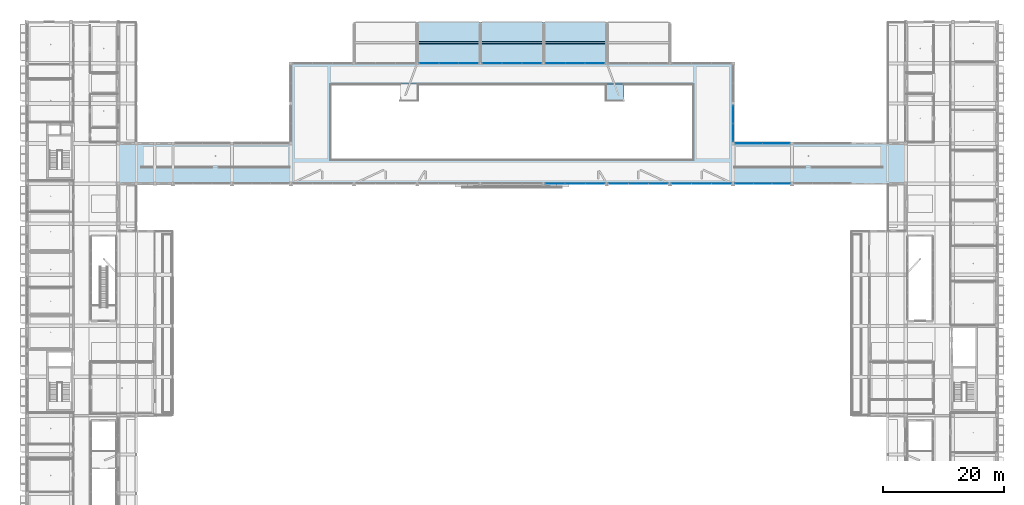
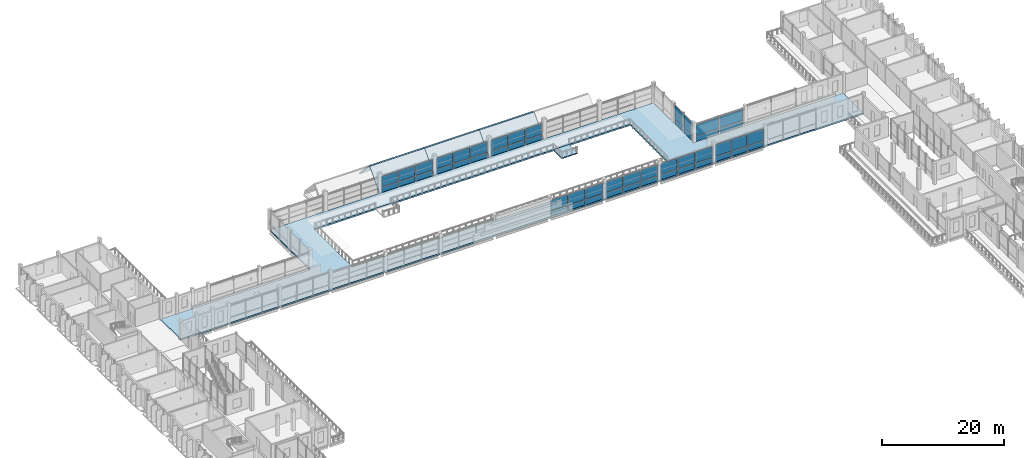
# One storey, part 33 of 85: 50 plates, 8 slabs, 10 elements without a shape of their own.
"""IFC4 building model written with IfcOpenShell, lengths in metres."""

from ifc_helpers import new_model, si_unit, derived_unit, direction, frame, origin, origin_2d, place, context, subcontext, project, spatial, polyline, rectangle, outline, extrude, material, layer, layer_set, type_object, element, aggregate, save


model = new_model("IFC4")

# Units and contexts
model_context = context("Model", 3, precision=1e-05, world=origin(), true_north=direction((0.0, 1.0)))
body_context = subcontext(model_context, "Body", "Model", "MODEL_VIEW")
ifc_project = project(units=[si_unit("LENGTHUNIT", "METRE"), si_unit("AREAUNIT", "SQUARE_METRE"), si_unit("VOLUMEUNIT", "CUBIC_METRE"), si_unit("PLANEANGLEUNIT", "RADIAN"), si_unit("MASSUNIT", "GRAM", prefix="KILO"), derived_unit("THERMALTRANSMITTANCEUNIT", [(si_unit("POWERUNIT", "WATT"), 1), (si_unit("LENGTHUNIT", "METRE"), -2), (si_unit("THERMODYNAMICTEMPERATUREUNIT", "KELVIN"), -1)])], contexts=[model_context])

# Site, building, storey
site_placement = place(None, origin())
site = spatial("IfcSite", under=ifc_project, at=site_placement, CompositionType="ELEMENT")
building_placement = place(site_placement, origin())
building = spatial("IfcBuilding", under=site, at=building_placement, Name="Braskholm Square Health Centre", CompositionType="ELEMENT")
storey_placement = place(building_placement, frame((0.0, 0.0, 9.300048828125)))
storey = spatial("IfcBuildingStorey", under=building, at=storey_placement, Name="L03", CompositionType="ELEMENT", Elevation=9.300048828125)

# Curtain wall, plates
ifc_material_1 = material(Name="Low-E triple insulating glass (VLT 0.64)", Category="glass")
curtain_wall_type_1 = type_object("IfcCurtainWallType", Name="UnitisedCurtainWall6200x3650", PredefinedType="NOTDEFINED", material=ifc_material_1)
curtain_wall_1_placement = place(storey_placement, origin())
curtain_wall_1 = element("IfcCurtainWall", 1, at=curtain_wall_1_placement, inside=storey, type_object=curtain_wall_type_1, Name="Hall Clerestory L03 unitised curtain wall CW-L03-0203", PredefinedType="NOTDEFINED")
ifc_material_2 = material(Name="Architectural bronze anodised aluminium", Category="aluminium")
plate_type_1 = type_object("IfcPlateType", Name="CurtainPanelSpandrel2750x1020", PredefinedType="CURTAIN_PANEL", material=ifc_material_2)
plate_1_placement = place(storey_placement, frame((122.17138671875, 87.199951171875, 0.050048828125), z_axis=(0.0, 0.0, 1.0), x_axis=(1.0, 0.0, 0.0)))
plate_1 = element("IfcPlate", 2, at=plate_1_placement, type_object=plate_type_1, Name="CW-L03-0203 spandrel panel 1", PredefinedType="CURTAIN_PANEL", context=body_context, shape_type="SweptSolid", body=[
    extrude(rectangle(XDim=2.893798828125, YDim=0.035888671875, at=origin_2d()), origin(), (0.0, 0.0, 1.0), 1.02001953125),
])
plate_2_placement = place(storey_placement, frame((125.25, 87.199951171875, 0.050048828125), z_axis=(0.0, 0.0, 1.0), x_axis=(1.0, 0.0, 0.0)))
plate_2 = element("IfcPlate", 3, at=plate_2_placement, type_object=plate_type_1, Name="CW-L03-0203 spandrel panel 2", PredefinedType="CURTAIN_PANEL", context=body_context, shape_type="SweptSolid", body=[
    extrude(rectangle(XDim=2.893798828125, YDim=0.035888671875, at=origin_2d()), origin(), (0.0, 0.0, 1.0), 1.02001953125),
])
plate_3_placement = place(storey_placement, frame((128.32861328125, 87.199951171875, 0.050048828125), z_axis=(0.0, 0.0, 1.0), x_axis=(1.0, 0.0, 0.0)))
plate_3 = element("IfcPlate", 4, at=plate_3_placement, type_object=plate_type_1, Name="CW-L03-0203 spandrel panel 3", PredefinedType="CURTAIN_PANEL", context=body_context, shape_type="SweptSolid", body=[
    extrude(rectangle(XDim=2.893798828125, YDim=0.035888671875, at=origin_2d()), origin(), (0.0, 0.0, 1.0), 1.02001953125),
])

curtain_wall_type_2 = type_object("IfcCurtainWallType", Name="UnitisedCurtainWall6200x3800", PredefinedType="NOTDEFINED", material=ifc_material_1)
curtain_wall_2_placement = place(storey_placement, origin())
curtain_wall_2 = element("IfcCurtainWall", 5, at=curtain_wall_2_placement, inside=storey, type_object=curtain_wall_type_2, Name="Hall Cheek L03 unitised curtain wall CW-L03-0227", PredefinedType="NOTDEFINED")
plate_4_placement = place(storey_placement, frame((120.39990234375, 95.617919921875, 0.050048828125), z_axis=(0.0, 0.0, 1.0), x_axis=(0.0, 1.0, 0.0)))
plate_4 = element("IfcPlate", 6, at=plate_4_placement, type_object=plate_type_1, Name="CW-L03-0227 spandrel panel 1", PredefinedType="CURTAIN_PANEL", context=body_context, shape_type="SweptSolid", body=[
    extrude(rectangle(XDim=2.820068359375, YDim=0.035888671875, at=origin_2d()), origin(), (0.0, 0.0, 1.0), 1.02001953125),
])
plate_5_placement = place(storey_placement, frame((120.39990234375, 98.58203125, 0.050048828125), z_axis=(0.0, 0.0, 1.0), x_axis=(0.0, 1.0, 0.0)))
plate_5 = element("IfcPlate", 7, at=plate_5_placement, type_object=plate_type_1, Name="CW-L03-0227 spandrel panel 2", PredefinedType="CURTAIN_PANEL", context=body_context, shape_type="SweptSolid", body=[
    extrude(rectangle(XDim=2.820068359375, YDim=0.035888671875, at=origin_2d()), origin(), (0.0, 0.0, 1.0), 1.02001953125),
])

curtain_wall_3_placement = place(storey_placement, origin())
curtain_wall_3 = element("IfcCurtainWall", 8, at=curtain_wall_3_placement, inside=storey, type_object=curtain_wall_type_1, Name="Hall Clerestory L03 unitised curtain wall CW-L03-0194", PredefinedType="NOTDEFINED")
plate_type_2 = type_object("IfcPlateType", Name="CurtainPanelSpandrel3150x1020", PredefinedType="CURTAIN_PANEL", material=ifc_material_2)
plate_6_placement = place(storey_placement, frame((91.087890625, 87.199951171875, 0.050048828125), z_axis=(0.0, 0.0, 1.0), x_axis=(1.0, 0.0, 0.0)))
plate_6 = element("IfcPlate", 9, at=plate_6_placement, type_object=plate_type_2, Name="CW-L03-0194 spandrel panel 1", PredefinedType="CURTAIN_PANEL", context=body_context, shape_type="SweptSolid", body=[
    extrude(rectangle(XDim=3.11328125, YDim=0.035888671875, at=origin_2d()), origin(), (0.0, 0.0, 1.0), 1.02001953125),
])
plate_7_placement = place(storey_placement, frame((94.39990234375, 87.199951171875, 0.050048828125), z_axis=(0.0, 0.0, 1.0), x_axis=(1.0, 0.0, 0.0)))
plate_7 = element("IfcPlate", 10, at=plate_7_placement, type_object=plate_type_2, Name="CW-L03-0194 spandrel panel 2", PredefinedType="CURTAIN_PANEL", context=body_context, shape_type="SweptSolid", body=[
    extrude(rectangle(XDim=3.11328125, YDim=0.035888671875, at=origin_2d()), origin(), (0.0, 0.0, 1.0), 1.02001953125),
])
plate_8_placement = place(storey_placement, frame((97.7119140625, 87.199951171875, 0.050048828125), z_axis=(0.0, 0.0, 1.0), x_axis=(1.0, 0.0, 0.0)))
plate_8 = element("IfcPlate", 11, at=plate_8_placement, type_object=plate_type_2, Name="CW-L03-0194 spandrel panel 3", PredefinedType="CURTAIN_PANEL", context=body_context, shape_type="SweptSolid", body=[
    extrude(rectangle(XDim=3.11328125, YDim=0.035888671875, at=origin_2d()), origin(), (0.0, 0.0, 1.0), 1.02001953125),
])

curtain_wall_4_placement = place(storey_placement, origin())
curtain_wall_4 = element("IfcCurtainWall", 12, at=curtain_wall_4_placement, inside=storey, type_object=curtain_wall_type_1, Name="Hall Clerestory L03 unitised curtain wall CW-L03-0197", PredefinedType="NOTDEFINED")
plate_9_placement = place(storey_placement, frame((101.488037109375, 87.199951171875, 0.050048828125), z_axis=(0.0, 0.0, 1.0), x_axis=(1.0, 0.0, 0.0)))
plate_9 = element("IfcPlate", 13, at=plate_9_placement, type_object=plate_type_2, Name="CW-L03-0197 spandrel panel 1", PredefinedType="CURTAIN_PANEL", context=body_context, shape_type="SweptSolid", body=[
    extrude(rectangle(XDim=3.11328125, YDim=0.035888671875, at=origin_2d()), origin(), (0.0, 0.0, 1.0), 1.02001953125),
])
plate_10_placement = place(storey_placement, frame((104.800048828125, 87.199951171875, 0.050048828125), z_axis=(0.0, 0.0, 1.0), x_axis=(1.0, 0.0, 0.0)))
plate_10 = element("IfcPlate", 14, at=plate_10_placement, type_object=plate_type_2, Name="CW-L03-0197 spandrel panel 2", PredefinedType="CURTAIN_PANEL", context=body_context, shape_type="SweptSolid", body=[
    extrude(rectangle(XDim=3.11328125, YDim=0.035888671875, at=origin_2d()), origin(), (0.0, 0.0, 1.0), 1.02001953125),
])
plate_11_placement = place(storey_placement, frame((108.112060546875, 87.199951171875, 0.050048828125), z_axis=(0.0, 0.0, 1.0), x_axis=(1.0, 0.0, 0.0)))
plate_11 = element("IfcPlate", 15, at=plate_11_placement, type_object=plate_type_2, Name="CW-L03-0197 spandrel panel 3", PredefinedType="CURTAIN_PANEL", context=body_context, shape_type="SweptSolid", body=[
    extrude(rectangle(XDim=3.11328125, YDim=0.035888671875, at=origin_2d()), origin(), (0.0, 0.0, 1.0), 1.02001953125),
])

curtain_wall_5_placement = place(storey_placement, origin())
curtain_wall_5 = element("IfcCurtainWall", 16, at=curtain_wall_5_placement, inside=storey, type_object=curtain_wall_type_1, Name="Hall Clerestory L03 unitised curtain wall CW-L03-0200", PredefinedType="NOTDEFINED")
plate_12_placement = place(storey_placement, frame((111.887939453125, 87.199951171875, 0.050048828125), z_axis=(0.0, 0.0, 1.0), x_axis=(1.0, 0.0, 0.0)))
plate_12 = element("IfcPlate", 17, at=plate_12_placement, type_object=plate_type_2, Name="CW-L03-0200 spandrel panel 1", PredefinedType="CURTAIN_PANEL", context=body_context, shape_type="SweptSolid", body=[
    extrude(rectangle(XDim=3.11328125, YDim=0.035888671875, at=origin_2d()), origin(), (0.0, 0.0, 1.0), 1.02001953125),
])
plate_13_placement = place(storey_placement, frame((115.199951171875, 87.199951171875, 0.050048828125), z_axis=(0.0, 0.0, 1.0), x_axis=(1.0, 0.0, 0.0)))
plate_13 = element("IfcPlate", 18, at=plate_13_placement, type_object=plate_type_2, Name="CW-L03-0200 spandrel panel 2", PredefinedType="CURTAIN_PANEL", context=body_context, shape_type="SweptSolid", body=[
    extrude(rectangle(XDim=3.11328125, YDim=0.035888671875, at=origin_2d()), origin(), (0.0, 0.0, 1.0), 1.02001953125),
])
plate_14_placement = place(storey_placement, frame((118.511962890625, 87.199951171875, 0.050048828125), z_axis=(0.0, 0.0, 1.0), x_axis=(1.0, 0.0, 0.0)))
plate_14 = element("IfcPlate", 19, at=plate_14_placement, type_object=plate_type_2, Name="CW-L03-0200 spandrel panel 3", PredefinedType="CURTAIN_PANEL", context=body_context, shape_type="SweptSolid", body=[
    extrude(rectangle(XDim=3.11328125, YDim=0.035888671875, at=origin_2d()), origin(), (0.0, 0.0, 1.0), 1.02001953125),
])

curtain_wall_6_placement = place(storey_placement, origin())
curtain_wall_6 = element("IfcCurtainWall", 20, at=curtain_wall_6_placement, inside=storey, type_object=curtain_wall_type_1, Name="Hall North Clerestory unitised curtain wall CW-L03-0231", PredefinedType="NOTDEFINED")
plate_15_placement = place(storey_placement, frame((76.86669921875, 107.0, 0.050048828125), z_axis=(0.0, 0.0, 1.0), x_axis=(-1.0, 0.0, 0.0)))
plate_15 = element("IfcPlate", 21, at=plate_15_placement, type_object=plate_type_2, Name="CW-L03-0231 spandrel panel 1", PredefinedType="CURTAIN_PANEL", context=body_context, shape_type="SweptSolid", body=[
    extrude(rectangle(XDim=3.07080078125, YDim=0.035888671875, at=origin_2d()), origin(), (0.0, 0.0, 1.0), 1.02001953125),
])
plate_16_placement = place(storey_placement, frame((73.60009765625, 107.0, 0.050048828125), z_axis=(0.0, 0.0, 1.0), x_axis=(-1.0, 0.0, 0.0)))
plate_16 = element("IfcPlate", 22, at=plate_16_placement, type_object=plate_type_2, Name="CW-L03-0231 spandrel panel 2", PredefinedType="CURTAIN_PANEL", context=body_context, shape_type="SweptSolid", body=[
    extrude(rectangle(XDim=3.07080078125, YDim=0.035888671875, at=origin_2d()), origin(), (0.0, 0.0, 1.0), 1.02001953125),
])
plate_17_placement = place(storey_placement, frame((70.333251953125, 107.0, 0.050048828125), z_axis=(0.0, 0.0, 1.0), x_axis=(-1.0, 0.0, 0.0)))
plate_17 = element("IfcPlate", 23, at=plate_17_placement, type_object=plate_type_2, Name="CW-L03-0231 spandrel panel 3", PredefinedType="CURTAIN_PANEL", context=body_context, shape_type="SweptSolid", body=[
    extrude(rectangle(XDim=3.07080078125, YDim=0.035888671875, at=origin_2d()), origin(), (0.0, 0.0, 1.0), 1.02001953125),
])

curtain_wall_7_placement = place(storey_placement, origin())
curtain_wall_7 = element("IfcCurtainWall", 24, at=curtain_wall_7_placement, inside=storey, type_object=curtain_wall_type_1, Name="Hall North Clerestory unitised curtain wall CW-L03-0232", PredefinedType="NOTDEFINED")
plate_18_placement = place(storey_placement, frame((87.2666015625, 107.0, 0.050048828125), z_axis=(0.0, 0.0, 1.0), x_axis=(-1.0, 0.0, 0.0)))
plate_18 = element("IfcPlate", 25, at=plate_18_placement, type_object=plate_type_2, Name="CW-L03-0232 spandrel panel 1", PredefinedType="CURTAIN_PANEL", context=body_context, shape_type="SweptSolid", body=[
    extrude(rectangle(XDim=3.07080078125, YDim=0.035888671875, at=origin_2d()), origin(), (0.0, 0.0, 1.0), 1.02001953125),
])
plate_19_placement = place(storey_placement, frame((84.0, 107.0, 0.050048828125), z_axis=(0.0, 0.0, 1.0), x_axis=(-1.0, 0.0, 0.0)))
plate_19 = element("IfcPlate", 26, at=plate_19_placement, type_object=plate_type_2, Name="CW-L03-0232 spandrel panel 2", PredefinedType="CURTAIN_PANEL", context=body_context, shape_type="SweptSolid", body=[
    extrude(rectangle(XDim=3.07080078125, YDim=0.035888671875, at=origin_2d()), origin(), (0.0, 0.0, 1.0), 1.02001953125),
])
plate_20_placement = place(storey_placement, frame((80.7333984375, 107.0, 0.050048828125), z_axis=(0.0, 0.0, 1.0), x_axis=(-1.0, 0.0, 0.0)))
plate_20 = element("IfcPlate", 27, at=plate_20_placement, type_object=plate_type_2, Name="CW-L03-0232 spandrel panel 3", PredefinedType="CURTAIN_PANEL", context=body_context, shape_type="SweptSolid", body=[
    extrude(rectangle(XDim=3.07080078125, YDim=0.035888671875, at=origin_2d()), origin(), (0.0, 0.0, 1.0), 1.02001953125),
])

curtain_wall_8_placement = place(storey_placement, origin())
curtain_wall_8 = element("IfcCurtainWall", 28, at=curtain_wall_8_placement, inside=storey, type_object=curtain_wall_type_1, Name="Hall North Clerestory unitised curtain wall CW-L03-0233", PredefinedType="NOTDEFINED")
plate_21_placement = place(storey_placement, frame((97.666748046875, 107.0, 0.050048828125), z_axis=(0.0, 0.0, 1.0), x_axis=(-1.0, 0.0, 0.0)))
plate_21 = element("IfcPlate", 29, at=plate_21_placement, type_object=plate_type_2, Name="CW-L03-0233 spandrel panel 1", PredefinedType="CURTAIN_PANEL", context=body_context, shape_type="SweptSolid", body=[
    extrude(rectangle(XDim=3.07080078125, YDim=0.035888671875, at=origin_2d()), origin(), (0.0, 0.0, 1.0), 1.02001953125),
])
plate_22_placement = place(storey_placement, frame((94.39990234375, 107.0, 0.050048828125), z_axis=(0.0, 0.0, 1.0), x_axis=(-1.0, 0.0, 0.0)))
plate_22 = element("IfcPlate", 30, at=plate_22_placement, type_object=plate_type_2, Name="CW-L03-0233 spandrel panel 2", PredefinedType="CURTAIN_PANEL", context=body_context, shape_type="SweptSolid", body=[
    extrude(rectangle(XDim=3.07080078125, YDim=0.035888671875, at=origin_2d()), origin(), (0.0, 0.0, 1.0), 1.02001953125),
])
plate_23_placement = place(storey_placement, frame((91.13330078125, 107.0, 0.050048828125), z_axis=(0.0, 0.0, 1.0), x_axis=(-1.0, 0.0, 0.0)))
plate_23 = element("IfcPlate", 31, at=plate_23_placement, type_object=plate_type_2, Name="CW-L03-0233 spandrel panel 3", PredefinedType="CURTAIN_PANEL", context=body_context, shape_type="SweptSolid", body=[
    extrude(rectangle(XDim=3.07080078125, YDim=0.035888671875, at=origin_2d()), origin(), (0.0, 0.0, 1.0), 1.02001953125),
])

curtain_wall_9_placement = place(storey_placement, origin())
curtain_wall_9 = element("IfcCurtainWall", 32, at=curtain_wall_9_placement, inside=storey, type_object=curtain_wall_type_1, Name="Portal North L03 unitised curtain wall CW-L03-0206", PredefinedType="NOTDEFINED")
plate_type_3 = type_object("IfcPlateType", Name="CurtainPanelSpandrel4350x1020", PredefinedType="CURTAIN_PANEL", material=ifc_material_2)
plate_24_placement = place(storey_placement, frame((127.521484375, 93.800048828125, 0.050048828125), z_axis=(0.0, 0.0, 1.0), x_axis=(-1.0, 0.0, 0.0)))
plate_24 = element("IfcPlate", 33, at=plate_24_placement, type_object=plate_type_3, Name="CW-L03-0206 spandrel panel 1", PredefinedType="CURTAIN_PANEL", context=body_context, shape_type="SweptSolid", body=[
    extrude(rectangle(XDim=4.322021484375, YDim=0.035888671875, at=origin_2d()), origin(), (0.0, 0.0, 1.0), 1.02001953125),
])
plate_25_placement = place(storey_placement, frame((122.978515625, 93.800048828125, 0.050048828125), z_axis=(0.0, 0.0, 1.0), x_axis=(-1.0, 0.0, 0.0)))
plate_25 = element("IfcPlate", 34, at=plate_25_placement, type_object=plate_type_3, Name="CW-L03-0206 spandrel panel 2", PredefinedType="CURTAIN_PANEL", context=body_context, shape_type="SweptSolid", body=[
    extrude(rectangle(XDim=4.322021484375, YDim=0.035888671875, at=origin_2d()), origin(), (0.0, 0.0, 1.0), 1.02001953125),
])

# Plate
plate_type_4 = type_object("IfcPlateType", Name="CurtainPanelVision2750x2120", PredefinedType="CURTAIN_PANEL", material=ifc_material_1)
plate_26_placement = place(storey_placement, frame((122.17138671875, 87.199951171875, 1.169921875), z_axis=(0.0, 0.0, 1.0), x_axis=(1.0, 0.0, 0.0)))
plate_26 = element("IfcPlate", 35, at=plate_26_placement, type_object=plate_type_4, Name="CW-L03-0203 vision glass panel 1", PredefinedType="CURTAIN_PANEL", context=body_context, shape_type="SweptSolid", body=[
    extrude(rectangle(XDim=2.893798828125, YDim=0.035888671875, at=origin_2d()), origin(), (0.0, 0.0, 1.0), 2.27001953125),
])

plate_27_placement = place(storey_placement, frame((125.25, 87.199951171875, 1.169921875), z_axis=(0.0, 0.0, 1.0), x_axis=(1.0, 0.0, 0.0)))
plate_27 = element("IfcPlate", 36, at=plate_27_placement, type_object=plate_type_4, Name="CW-L03-0203 vision glass panel 2", PredefinedType="CURTAIN_PANEL", context=body_context, shape_type="SweptSolid", body=[
    extrude(rectangle(XDim=2.893798828125, YDim=0.035888671875, at=origin_2d()), origin(), (0.0, 0.0, 1.0), 2.27001953125),
])

plate_28_placement = place(storey_placement, frame((128.32861328125, 87.199951171875, 1.169921875), z_axis=(0.0, 0.0, 1.0), x_axis=(1.0, 0.0, 0.0)))
plate_28 = element("IfcPlate", 37, at=plate_28_placement, type_object=plate_type_4, Name="CW-L03-0203 vision glass panel 3", PredefinedType="CURTAIN_PANEL", context=body_context, shape_type="SweptSolid", body=[
    extrude(rectangle(XDim=2.893798828125, YDim=0.035888671875, at=origin_2d()), origin(), (0.0, 0.0, 1.0), 2.27001953125),
])

aggregate(curtain_wall_1, [plate_1, plate_26, plate_2, plate_27, plate_3, plate_28])

plate_type_5 = type_object("IfcPlateType", Name="CurtainPanelVision2750x2520", PredefinedType="CURTAIN_PANEL", material=ifc_material_1)
plate_29_placement = place(storey_placement, frame((120.39990234375, 95.617919921875, 1.169921875), z_axis=(0.0, 0.0, 1.0), x_axis=(0.0, 1.0, 0.0)))
plate_29 = element("IfcPlate", 38, at=plate_29_placement, type_object=plate_type_5, Name="CW-L03-0227 vision glass panel 1", PredefinedType="CURTAIN_PANEL", context=body_context, shape_type="SweptSolid", body=[
    extrude(rectangle(XDim=2.820068359375, YDim=0.035888671875, at=origin_2d()), origin(), (0.0, 0.0, 1.0), 2.6201171875),
])

plate_30_placement = place(storey_placement, frame((120.39990234375, 98.58203125, 1.169921875), z_axis=(0.0, 0.0, 1.0), x_axis=(0.0, 1.0, 0.0)))
plate_30 = element("IfcPlate", 39, at=plate_30_placement, type_object=plate_type_5, Name="CW-L03-0227 vision glass panel 2", PredefinedType="CURTAIN_PANEL", context=body_context, shape_type="SweptSolid", body=[
    extrude(rectangle(XDim=2.820068359375, YDim=0.035888671875, at=origin_2d()), origin(), (0.0, 0.0, 1.0), 2.6201171875),
])

aggregate(curtain_wall_2, [plate_4, plate_29, plate_5, plate_30])

plate_type_6 = type_object("IfcPlateType", Name="CurtainPanelVision3150x2120", PredefinedType="CURTAIN_PANEL", material=ifc_material_1)
plate_31_placement = place(storey_placement, frame((91.087890625, 87.199951171875, 1.169921875), z_axis=(0.0, 0.0, 1.0), x_axis=(1.0, 0.0, 0.0)))
plate_31 = element("IfcPlate", 40, at=plate_31_placement, type_object=plate_type_6, Name="CW-L03-0194 vision glass panel 1", PredefinedType="CURTAIN_PANEL", context=body_context, shape_type="SweptSolid", body=[
    extrude(rectangle(XDim=3.11328125, YDim=0.035888671875, at=origin_2d()), origin(), (0.0, 0.0, 1.0), 2.1259765625),
])

plate_32_placement = place(storey_placement, frame((94.39990234375, 87.199951171875, 1.169921875), z_axis=(0.0, 0.0, 1.0), x_axis=(1.0, 0.0, 0.0)))
plate_32 = element("IfcPlate", 41, at=plate_32_placement, type_object=plate_type_6, Name="CW-L03-0194 vision glass panel 2", PredefinedType="CURTAIN_PANEL", context=body_context, shape_type="SweptSolid", body=[
    extrude(rectangle(XDim=3.11328125, YDim=0.035888671875, at=origin_2d()), origin(), (0.0, 0.0, 1.0), 2.1259765625),
])

plate_33_placement = place(storey_placement, frame((97.7119140625, 87.199951171875, 1.169921875), z_axis=(0.0, 0.0, 1.0), x_axis=(1.0, 0.0, 0.0)))
plate_33 = element("IfcPlate", 42, at=plate_33_placement, type_object=plate_type_6, Name="CW-L03-0194 vision glass panel 3", PredefinedType="CURTAIN_PANEL", context=body_context, shape_type="SweptSolid", body=[
    extrude(rectangle(XDim=3.11328125, YDim=0.035888671875, at=origin_2d()), origin(), (0.0, 0.0, 1.0), 2.1259765625),
])

aggregate(curtain_wall_3, [plate_6, plate_31, plate_7, plate_32, plate_8, plate_33])

plate_34_placement = place(storey_placement, frame((101.488037109375, 87.199951171875, 1.169921875), z_axis=(0.0, 0.0, 1.0), x_axis=(1.0, 0.0, 0.0)))
plate_34 = element("IfcPlate", 43, at=plate_34_placement, type_object=plate_type_6, Name="CW-L03-0197 vision glass panel 1", PredefinedType="CURTAIN_PANEL", context=body_context, shape_type="SweptSolid", body=[
    extrude(rectangle(XDim=3.11328125, YDim=0.035888671875, at=origin_2d()), origin(), (0.0, 0.0, 1.0), 2.1259765625),
])

plate_35_placement = place(storey_placement, frame((104.800048828125, 87.199951171875, 1.169921875), z_axis=(0.0, 0.0, 1.0), x_axis=(1.0, 0.0, 0.0)))
plate_35 = element("IfcPlate", 44, at=plate_35_placement, type_object=plate_type_6, Name="CW-L03-0197 vision glass panel 2", PredefinedType="CURTAIN_PANEL", context=body_context, shape_type="SweptSolid", body=[
    extrude(rectangle(XDim=3.11328125, YDim=0.035888671875, at=origin_2d()), origin(), (0.0, 0.0, 1.0), 2.1259765625),
])

plate_36_placement = place(storey_placement, frame((108.112060546875, 87.199951171875, 1.169921875), z_axis=(0.0, 0.0, 1.0), x_axis=(1.0, 0.0, 0.0)))
plate_36 = element("IfcPlate", 45, at=plate_36_placement, type_object=plate_type_6, Name="CW-L03-0197 vision glass panel 3", PredefinedType="CURTAIN_PANEL", context=body_context, shape_type="SweptSolid", body=[
    extrude(rectangle(XDim=3.11328125, YDim=0.035888671875, at=origin_2d()), origin(), (0.0, 0.0, 1.0), 2.1259765625),
])

aggregate(curtain_wall_4, [plate_9, plate_34, plate_10, plate_35, plate_11, plate_36])

plate_37_placement = place(storey_placement, frame((111.887939453125, 87.199951171875, 1.169921875), z_axis=(0.0, 0.0, 1.0), x_axis=(1.0, 0.0, 0.0)))
plate_37 = element("IfcPlate", 46, at=plate_37_placement, type_object=plate_type_6, Name="CW-L03-0200 vision glass panel 1", PredefinedType="CURTAIN_PANEL", context=body_context, shape_type="SweptSolid", body=[
    extrude(rectangle(XDim=3.11328125, YDim=0.035888671875, at=origin_2d()), origin(), (0.0, 0.0, 1.0), 2.1259765625),
])

plate_38_placement = place(storey_placement, frame((115.199951171875, 87.199951171875, 1.169921875), z_axis=(0.0, 0.0, 1.0), x_axis=(1.0, 0.0, 0.0)))
plate_38 = element("IfcPlate", 47, at=plate_38_placement, type_object=plate_type_6, Name="CW-L03-0200 vision glass panel 2", PredefinedType="CURTAIN_PANEL", context=body_context, shape_type="SweptSolid", body=[
    extrude(rectangle(XDim=3.11328125, YDim=0.035888671875, at=origin_2d()), origin(), (0.0, 0.0, 1.0), 2.1259765625),
])

plate_39_placement = place(storey_placement, frame((118.511962890625, 87.199951171875, 1.169921875), z_axis=(0.0, 0.0, 1.0), x_axis=(1.0, 0.0, 0.0)))
plate_39 = element("IfcPlate", 48, at=plate_39_placement, type_object=plate_type_6, Name="CW-L03-0200 vision glass panel 3", PredefinedType="CURTAIN_PANEL", context=body_context, shape_type="SweptSolid", body=[
    extrude(rectangle(XDim=3.11328125, YDim=0.035888671875, at=origin_2d()), origin(), (0.0, 0.0, 1.0), 2.1259765625),
])

aggregate(curtain_wall_5, [plate_12, plate_37, plate_13, plate_38, plate_14, plate_39])

plate_40_placement = place(storey_placement, frame((76.86669921875, 107.0, 1.169921875), z_axis=(0.0, 0.0, 1.0), x_axis=(-1.0, 0.0, 0.0)))
plate_40 = element("IfcPlate", 49, at=plate_40_placement, type_object=plate_type_6, Name="CW-L03-0231 vision glass panel 1", PredefinedType="CURTAIN_PANEL", context=body_context, shape_type="SweptSolid", body=[
    extrude(rectangle(XDim=3.07080078125, YDim=0.035888671875, at=origin_2d()), origin(), (0.0, 0.0, 1.0), 2.075927734375),
])

plate_41_placement = place(storey_placement, frame((73.60009765625, 107.0, 1.169921875), z_axis=(0.0, 0.0, 1.0), x_axis=(-1.0, 0.0, 0.0)))
plate_41 = element("IfcPlate", 50, at=plate_41_placement, type_object=plate_type_6, Name="CW-L03-0231 vision glass panel 2", PredefinedType="CURTAIN_PANEL", context=body_context, shape_type="SweptSolid", body=[
    extrude(rectangle(XDim=3.07080078125, YDim=0.035888671875, at=origin_2d()), origin(), (0.0, 0.0, 1.0), 2.075927734375),
])

plate_42_placement = place(storey_placement, frame((70.333251953125, 107.0, 1.169921875), z_axis=(0.0, 0.0, 1.0), x_axis=(-1.0, 0.0, 0.0)))
plate_42 = element("IfcPlate", 51, at=plate_42_placement, type_object=plate_type_6, Name="CW-L03-0231 vision glass panel 3", PredefinedType="CURTAIN_PANEL", context=body_context, shape_type="SweptSolid", body=[
    extrude(rectangle(XDim=3.07080078125, YDim=0.035888671875, at=origin_2d()), origin(), (0.0, 0.0, 1.0), 2.075927734375),
])

aggregate(curtain_wall_6, [plate_15, plate_40, plate_16, plate_41, plate_17, plate_42])

plate_43_placement = place(storey_placement, frame((87.2666015625, 107.0, 1.169921875), z_axis=(0.0, 0.0, 1.0), x_axis=(-1.0, 0.0, 0.0)))
plate_43 = element("IfcPlate", 52, at=plate_43_placement, type_object=plate_type_6, Name="CW-L03-0232 vision glass panel 1", PredefinedType="CURTAIN_PANEL", context=body_context, shape_type="SweptSolid", body=[
    extrude(rectangle(XDim=3.07080078125, YDim=0.035888671875, at=origin_2d()), origin(), (0.0, 0.0, 1.0), 2.075927734375),
])

plate_44_placement = place(storey_placement, frame((84.0, 107.0, 1.169921875), z_axis=(0.0, 0.0, 1.0), x_axis=(-1.0, 0.0, 0.0)))
plate_44 = element("IfcPlate", 53, at=plate_44_placement, type_object=plate_type_6, Name="CW-L03-0232 vision glass panel 2", PredefinedType="CURTAIN_PANEL", context=body_context, shape_type="SweptSolid", body=[
    extrude(rectangle(XDim=3.07080078125, YDim=0.035888671875, at=origin_2d()), origin(), (0.0, 0.0, 1.0), 2.075927734375),
])

plate_45_placement = place(storey_placement, frame((80.7333984375, 107.0, 1.169921875), z_axis=(0.0, 0.0, 1.0), x_axis=(-1.0, 0.0, 0.0)))
plate_45 = element("IfcPlate", 54, at=plate_45_placement, type_object=plate_type_6, Name="CW-L03-0232 vision glass panel 3", PredefinedType="CURTAIN_PANEL", context=body_context, shape_type="SweptSolid", body=[
    extrude(rectangle(XDim=3.07080078125, YDim=0.035888671875, at=origin_2d()), origin(), (0.0, 0.0, 1.0), 2.075927734375),
])

aggregate(curtain_wall_7, [plate_18, plate_43, plate_19, plate_44, plate_20, plate_45])

plate_46_placement = place(storey_placement, frame((97.666748046875, 107.0, 1.169921875), z_axis=(0.0, 0.0, 1.0), x_axis=(-1.0, 0.0, 0.0)))
plate_46 = element("IfcPlate", 55, at=plate_46_placement, type_object=plate_type_6, Name="CW-L03-0233 vision glass panel 1", PredefinedType="CURTAIN_PANEL", context=body_context, shape_type="SweptSolid", body=[
    extrude(rectangle(XDim=3.07080078125, YDim=0.035888671875, at=origin_2d()), origin(), (0.0, 0.0, 1.0), 2.075927734375),
])

plate_47_placement = place(storey_placement, frame((94.39990234375, 107.0, 1.169921875), z_axis=(0.0, 0.0, 1.0), x_axis=(-1.0, 0.0, 0.0)))
plate_47 = element("IfcPlate", 56, at=plate_47_placement, type_object=plate_type_6, Name="CW-L03-0233 vision glass panel 2", PredefinedType="CURTAIN_PANEL", context=body_context, shape_type="SweptSolid", body=[
    extrude(rectangle(XDim=3.07080078125, YDim=0.035888671875, at=origin_2d()), origin(), (0.0, 0.0, 1.0), 2.075927734375),
])

plate_48_placement = place(storey_placement, frame((91.13330078125, 107.0, 1.169921875), z_axis=(0.0, 0.0, 1.0), x_axis=(-1.0, 0.0, 0.0)))
plate_48 = element("IfcPlate", 57, at=plate_48_placement, type_object=plate_type_6, Name="CW-L03-0233 vision glass panel 3", PredefinedType="CURTAIN_PANEL", context=body_context, shape_type="SweptSolid", body=[
    extrude(rectangle(XDim=3.07080078125, YDim=0.035888671875, at=origin_2d()), origin(), (0.0, 0.0, 1.0), 2.075927734375),
])

aggregate(curtain_wall_8, [plate_21, plate_46, plate_22, plate_47, plate_23, plate_48])

plate_type_7 = type_object("IfcPlateType", Name="CurtainPanelVision4350x2120", PredefinedType="CURTAIN_PANEL", material=ifc_material_1)
plate_49_placement = place(storey_placement, frame((127.521484375, 93.800048828125, 1.169921875), z_axis=(0.0, 0.0, 1.0), x_axis=(-1.0, 0.0, 0.0)))
plate_49 = element("IfcPlate", 58, at=plate_49_placement, type_object=plate_type_7, Name="CW-L03-0206 vision glass panel 1", PredefinedType="CURTAIN_PANEL", context=body_context, shape_type="SweptSolid", body=[
    extrude(rectangle(XDim=4.322021484375, YDim=0.035888671875, at=origin_2d()), origin(), (0.0, 0.0, 1.0), 2.27001953125),
])

plate_50_placement = place(storey_placement, frame((122.978515625, 93.800048828125, 1.169921875), z_axis=(0.0, 0.0, 1.0), x_axis=(-1.0, 0.0, 0.0)))
plate_50 = element("IfcPlate", 59, at=plate_50_placement, type_object=plate_type_7, Name="CW-L03-0206 vision glass panel 2", PredefinedType="CURTAIN_PANEL", context=body_context, shape_type="SweptSolid", body=[
    extrude(rectangle(XDim=4.322021484375, YDim=0.035888671875, at=origin_2d()), origin(), (0.0, 0.0, 1.0), 2.27001953125),
])

aggregate(curtain_wall_9, [plate_24, plate_49, plate_25, plate_50])

# Roof, slabs
ifc_material_3 = material(Name="Patinated standing-seam architectural copper")
roof_type = type_object("IfcRoofType", Name="HydrotherapyHipRoof", PredefinedType="HIP_ROOF", material=ifc_material_3)
roof_placement = place(storey_placement, origin())
roof = element("IfcRoof", 60, at=roof_placement, inside=storey, type_object=roof_type, Name="Hydrotherapy Pavilion pitched copper roof", PredefinedType="HIP_ROOF")
ifc_material_4 = material(Name="Precast concrete C40/50 architectural white", Category="concrete")
ifc_layer_1 = layer(ifc_material_4, 0.2099609375)
ifc_layer_set_1 = layer_set([ifc_layer_1], Name="Precast concrete C40/50 architectural white")
slab_type_1 = type_object("IfcSlabType", Name="PitchedAndCrownRoofSlab150", PredefinedType="ROOF", material=ifc_layer_set_1)
slab_1_placement = place(storey_placement, frame((68.39990234375, 107.0, 0.0), z_axis=(0.0, -0.731053547869, 0.682320093613), x_axis=(1.0, 0.0, 0.0)))
slab_1 = element("IfcSlab", 61, at=slab_1_placement, type_object=slab_type_1, Name="Hydrotherapy pitched roof deck Bay 2 South", PredefinedType="ROOF", context=body_context, shape_type="SweptSolid", body=[
    extrude(outline(polyline([(0.0, 0.0), (10.400146484375, 0.0), (10.400146484375, 4.719149755761624), (0.0, 4.719149755761624), (0.0, 0.0)])), origin(), (0.0, 0.0, -1.0), 0.2099609375),
])
slab_2_placement = place(storey_placement, frame((78.800048828125, 113.800048828125, 0.0), z_axis=(0.0, 0.731053547869, 0.682320093613), x_axis=(-1.0, 0.0, 0.0)))
slab_2 = element("IfcSlab", 62, at=slab_2_placement, type_object=slab_type_1, Name="Hydrotherapy pitched roof deck Bay 2 North", PredefinedType="ROOF", context=body_context, shape_type="SweptSolid", body=[
    extrude(outline(polyline([(0.0, 0.0), (10.400146484375, 0.0), (10.400146484375, 4.719149755761624), (0.0, 4.719149755761624), (0.0, 0.0)])), origin(), (0.0, 0.0, -1.0), 0.2099609375),
])
slab_3_placement = place(storey_placement, frame((78.800048828125, 107.0, 0.0), z_axis=(0.0, -0.731053547869, 0.682320093613), x_axis=(1.0, 0.0, 0.0)))
slab_3 = element("IfcSlab", 63, at=slab_3_placement, type_object=slab_type_1, Name="Hydrotherapy pitched roof deck Bay 3 South", PredefinedType="ROOF", context=body_context, shape_type="SweptSolid", body=[
    extrude(outline(polyline([(0.0, 0.0), (10.39990234375, 0.0), (10.39990234375, 4.719149755761624), (0.0, 4.719149755761624), (0.0, 0.0)])), origin(), (0.0, 0.0, -1.0), 0.2099609375),
])
slab_4_placement = place(storey_placement, frame((89.199951171875, 113.800048828125, 0.0), z_axis=(0.0, 0.731053547869, 0.682320093613), x_axis=(-1.0, 0.0, 0.0)))
slab_4 = element("IfcSlab", 64, at=slab_4_placement, type_object=slab_type_1, Name="Hydrotherapy pitched roof deck Bay 3 North", PredefinedType="ROOF", context=body_context, shape_type="SweptSolid", body=[
    extrude(outline(polyline([(0.0, 0.0), (10.39990234375, 0.0), (10.39990234375, 4.719149755761624), (0.0, 4.719149755761624), (0.0, 0.0)])), origin(), (0.0, 0.0, -1.0), 0.2099609375),
])
slab_5_placement = place(storey_placement, frame((89.199951171875, 107.0, 0.0), z_axis=(0.0, -0.731053547869, 0.682320093613), x_axis=(1.0, 0.0, 0.0)))
slab_5 = element("IfcSlab", 65, at=slab_5_placement, type_object=slab_type_1, Name="Hydrotherapy pitched roof deck Bay 4 South", PredefinedType="ROOF", context=body_context, shape_type="SweptSolid", body=[
    extrude(outline(polyline([(0.0, 0.0), (10.400146484375, 0.0), (10.400146484375, 4.719149755761624), (0.0, 4.719149755761624), (0.0, 0.0)])), origin(), (0.0, 0.0, -1.0), 0.2099609375),
])
slab_6_placement = place(storey_placement, frame((99.60009765625, 113.800048828125, 0.0), z_axis=(0.0, 0.731053547869, 0.682320093613), x_axis=(-1.0, 0.0, 0.0)))
slab_6 = element("IfcSlab", 66, at=slab_6_placement, type_object=slab_type_1, Name="Hydrotherapy pitched roof deck Bay 4 North", PredefinedType="ROOF", context=body_context, shape_type="SweptSolid", body=[
    extrude(outline(polyline([(0.0, 0.0), (10.400146484375, 0.0), (10.400146484375, 4.719149755761624), (0.0, 4.719149755761624), (0.0, 0.0)])), origin(), (0.0, 0.0, -1.0), 0.2099609375),
])
aggregate(roof, [slab_1, slab_2, slab_3, slab_4, slab_5, slab_6])

# Slabs
ifc_material_5 = material(Name="Concrete C35/45 (f'c = 35 MPa)", Category="concrete")
ifc_layer_2 = layer(ifc_material_5, 0.179931640625)
ifc_layer_set_2 = layer_set([ifc_layer_2], Name="Concrete C35/45 (f'c = 35 MPa)")
slab_type_2 = type_object("IfcSlabType", Name="StairLandingSlab180", PredefinedType="LANDING", material=ifc_layer_set_2)
slab_7_placement = place(storey_placement, frame((0.0, 0.0, -0.179931640625)))
element("IfcSlab", 67, at=slab_7_placement, inside=storey, type_object=slab_type_2, Name="Atrium feature stair landing SLAB-L03-HALL-BRIDGE-E", PredefinedType="LANDING", context=body_context, shape_type="SweptSolid", body=[
    extrude(outline(polyline([(99.39990234375, 100.800048828125), (102.39990234375, 100.800048828125), (102.39990234375, 103.590087890625), (99.39990234375, 103.590087890625), (99.39990234375, 100.800048828125)])), origin(), (0.0, 0.0, 1.0), 0.179931640625),
])
ifc_layer_3 = layer(ifc_material_5, 0.300048828125)
ifc_layer_set_3 = layer_set([ifc_layer_3], Name="Concrete C35/45 (f'c = 35 MPa)")
slab_type_3 = type_object("IfcSlabType", Name="TwoWayClinicalFlatSlab300", PredefinedType="FLOOR", material=ifc_layer_set_3)
slab_8_placement = place(storey_placement, frame((0.0, 0.0, -0.300048828125)))
element("IfcSlab", 68, at=slab_8_placement, inside=storey, type_object=slab_type_3, Name="Level L03 V1 Shared Conservatory Waiting Hall upper portal gallery slab", PredefinedType="FLOOR", context=body_context, shape_type="SweptSolid", body=[
    extrude(outline(polyline([(19.199951171875, 87.199951171875), (148.800048828125, 87.199951171875), (148.800048828125, 93.800048828125), (120.39990234375, 93.800048828125), (120.39990234375, 107.0), (47.60009765625, 107.0), (47.60009765625, 93.800048828125), (19.199951171875, 93.800048828125), (19.199951171875, 87.199951171875)]), holes=[polyline([(54.0, 91.0), (114.0, 91.0), (114.0, 103.60009765625), (54.0, 103.60009765625), (54.0, 91.0)])]), origin(), (0.0, 0.0, 1.0), 0.300048828125),
])

save(model, "model.ifc")
